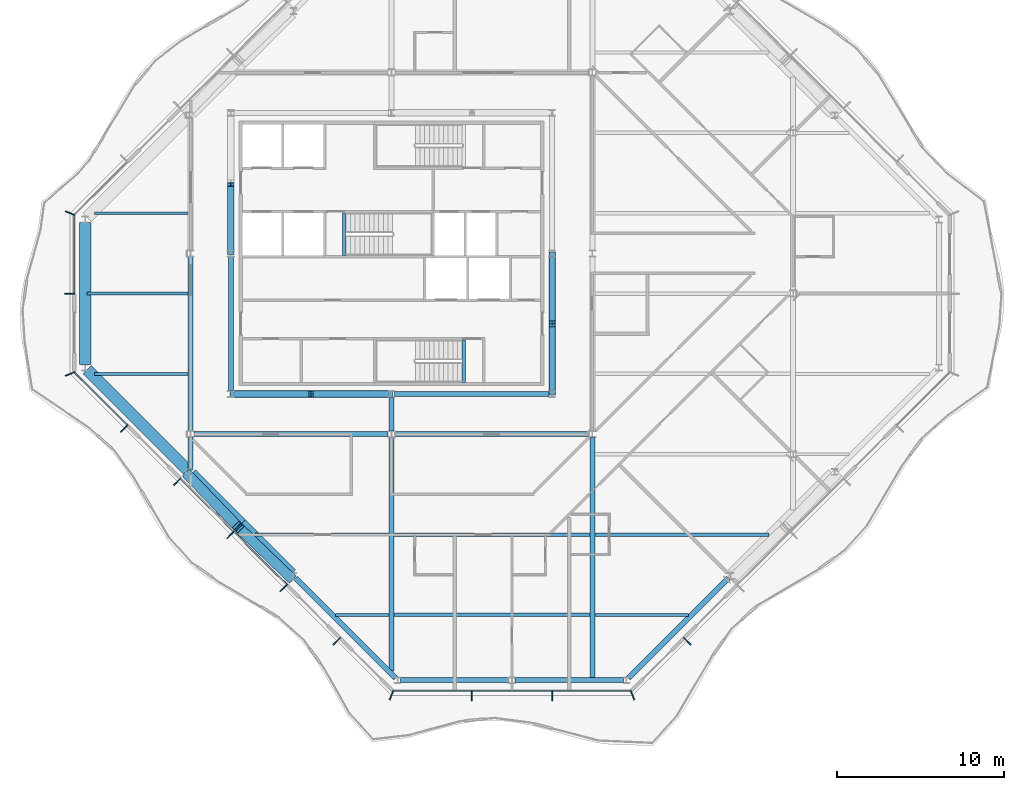
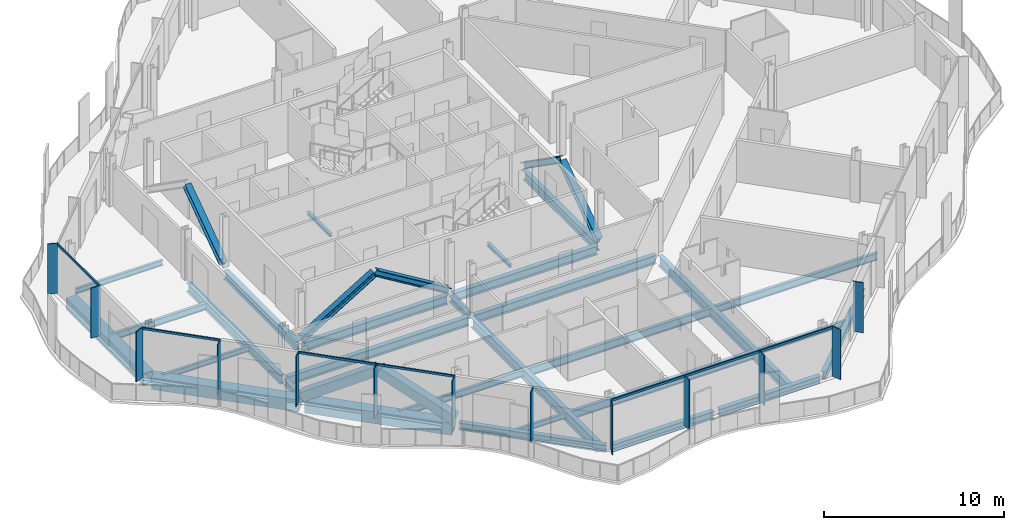
# One storey, part 3 of 17: 30 beams, 27 members, 4 elements without a shape of their own.
"""IFC4 building model written with IfcOpenShell, lengths in metres."""

from ifc_helpers import new_model, si_unit, direction, frame, origin, origin_2d, place, context, subcontext, project, spatial, rectangle, hollow_rectangle, i_section, extrude, material, material_profile, profile_set, type_object, element, aggregate, save


model = new_model("IFC4")

# Units and contexts
model_context = context("Model", 3, precision=1e-05, world=origin(), true_north=direction((0.0, 1.0)))
body_context = subcontext(model_context, "Body", "Model", "MODEL_VIEW")
ifc_project = project(units=[si_unit("LENGTHUNIT", "METRE"), si_unit("AREAUNIT", "SQUARE_METRE"), si_unit("VOLUMEUNIT", "CUBIC_METRE"), si_unit("PLANEANGLEUNIT", "RADIAN"), si_unit("MASSUNIT", "GRAM", prefix="KILO")], contexts=[model_context])

# Site, building, storey
site_placement = place(None, origin())
site = spatial("IfcSite", under=ifc_project, at=site_placement, CompositionType="ELEMENT")
building_placement = place(site_placement, origin())
building = spatial("IfcBuilding", under=site, at=building_placement, Name="Cairn Pilgrim Tower", CompositionType="ELEMENT")
storey_placement = place(building_placement, frame((0.0, 0.0, 292.199951171875)))
storey = spatial("IfcBuildingStorey", under=building, at=storey_placement, Name="L75", CompositionType="ELEMENT", Elevation=292.199951171875)

# Members
ifc_material_1 = material(Name="Structural steel S460M", Category="steel")
ifc_material_profile_1 = material_profile(ifc_material_1, hollow_rectangle(XDim=0.60009765625, YDim=0.60009765625, WallThickness=0.034912109375, at=origin_2d()), Name="BOX 600x600x35")
ifc_profile_set_1 = profile_set([ifc_material_profile_1], Name="Structural steel S460M")
member_type_1 = type_object("IfcMemberType", Name="BOX 600x600x35 BRACE", PredefinedType="BRACE", material=ifc_profile_set_1)
for number, where, z_axis, x_axis, name in (
    (1, (-4.98779296875, -10.80224609375, 0.150146484375), (0.594710674092, -0.617048824616, 0.515334805889), (0.720019591971, 0.693953735617, 0.0), "XB-SW2-SW3-1"),
    (2, (1.19775390625, -16.98779296875, 0.150146484375), (-0.617048824616, 0.594710674092, 0.515334805889), (-0.693953735617, -0.720019591971, 0.0), "XB-SW2-SW3-2"),
):
    element("IfcMember", number, at=place(storey_placement, frame(where, z_axis=z_axis, x_axis=x_axis)), inside=storey, type_object=member_type_1, Name=name, PredefinedType="BRACE", context=body_context, shape_type="SweptSolid", body=[
        extrude(hollow_rectangle(XDim=0.60009765625, YDim=0.60009765625, WallThickness=0.034912109375, at=origin_2d()), origin(), (0.0, 0.0, 1.0), 5.0166015625),
    ])

# Beams
ifc_material_2 = material(Name="Structural steel S355J2", Category="steel")
ifc_material_profile_2 = material_profile(ifc_material_2, hollow_rectangle(XDim=0.699951171875, YDim=0.800048828125, WallThickness=0.0400390625, at=origin_2d()), Name="BOX 700x800x40")
ifc_profile_set_2 = profile_set([ifc_material_profile_2], Name="Structural steel S355J2")
beam_type_1 = type_object("IfcBeamType", Name="BOX 700x800x40 RING GIRDER", PredefinedType="SPANDREL", material=ifc_profile_set_2)
beam_1_placement = place(storey_placement, frame((-11.10009765625, 4.251220703125, -0.550048828125), z_axis=(0.0, -1.0, 0.0), x_axis=(1.0, 0.0, 0.0)))
element("IfcBeam", 3, at=beam_1_placement, inside=storey, type_object=beam_type_1, Name="RG4-W1-SW1", PredefinedType="SPANDREL", context=body_context, shape_type="SweptSolid", body=[
    extrude(hollow_rectangle(XDim=0.699951171875, YDim=0.800048828125, WallThickness=0.0400390625, at=origin_2d()), origin(), (0.0, 0.0, 1.0), 8.50244140625),
])
beam_2_placement = place(storey_placement, frame((-10.9755859375, -4.551513671875, -0.550048828125), z_axis=(0.707092335843, -0.707121226235, 0.0), x_axis=(0.707121226235, 0.707092335843, 0.0)))
element("IfcBeam", 4, at=beam_2_placement, inside=storey, type_object=beam_type_1, Name="RG4-SW1-SW2", PredefinedType="SPANDREL", context=body_context, shape_type="SweptSolid", body=[
    extrude(hollow_rectangle(XDim=0.699951171875, YDim=0.800048828125, WallThickness=0.0400390625, at=origin_2d()), origin(), (0.0, 0.0, 1.0), 8.45068359375),
])
for number, where, z_axis, x_axis, name in (
    (5, (-4.751220703125, -10.77587890625, -0.550048828125), (0.707077889614, -0.707135671578, 0.0), (0.707135671578, 0.707077889614, 0.0), "RG4-SW2-SW3-1"),
    (6, (-1.763671875, -13.763671875, -0.550048828125), (0.707135671578, -0.707077889614, 0.0), (0.707077889614, 0.707135671578, 0.0), "RG4-SW2-SW3-2"),
):
    element("IfcBeam", number, at=place(storey_placement, frame(where, z_axis=z_axis, x_axis=x_axis)), inside=storey, type_object=beam_type_1, Name=name, PredefinedType="SPANDREL", context=body_context, shape_type="SweptSolid", body=[
        extrude(hollow_rectangle(XDim=0.699951171875, YDim=0.800048828125, WallThickness=0.0400390625, at=origin_2d()), origin(), (0.0, 0.0, 1.0), 4.22509765625),
    ])

# Curtain wall, members
ifc_material_3 = material(Name="Aluminium alloy 6063-T6 bronze anodised with Bronze tinted laminated low-E glass 8+16+8.8", Category="aluminium")
curtain_wall_type = type_object("IfcCurtainWallType", Name="CROWN CURTAIN WALL", PredefinedType="NOTDEFINED", material=ifc_material_3)
curtain_wall_1_placement = place(storey_placement, origin())
curtain_wall_1 = element("IfcCurtainWall", 7, at=curtain_wall_1_placement, inside=storey, type_object=curtain_wall_type, Name="Crown Curtain Wall S", PredefinedType="NOTDEFINED")
ifc_material_4 = material(Name="Aluminium alloy 6063-T6 bronze anodised", Category="aluminium")
ifc_material_profile_3 = material_profile(ifc_material_4, rectangle(XDim=0.60009765625, YDim=0.06005859375, at=origin_2d()), Name="FIN MULLION 60x600 BRONZE")
ifc_profile_set_3 = profile_set([ifc_material_profile_3], Name="Aluminium alloy 6063-T6 bronze anodised")
member_type_2 = type_object("IfcMemberType", Name="FIN MULLION 60x600 BRONZE", PredefinedType="MULLION", material=ifc_profile_set_3)
member_1_placement = place(storey_placement, frame((7.2001953125, -23.99951171875, 0.0), z_axis=(0.0, 0.0, 1.0), x_axis=(-0.382683432365, -0.923879532511, 0.0)))
member_1 = element("IfcMember", 8, at=member_1_placement, type_object=member_type_2, Name="Fin mullion S1", PredefinedType="MULLION", context=body_context, shape_type="SweptSolid", body=[
    extrude(rectangle(XDim=0.60009765625, YDim=0.06005859375, at=origin_2d()), origin(), (0.0, 0.0, 1.0), 3.400146484375),
])
member_2_placement = place(storey_placement, frame((12.0, -24.02001953125, 0.0), z_axis=(0.0, 0.0, 1.0), x_axis=(0.0, -1.0, 0.0)))
member_2 = element("IfcMember", 9, at=member_2_placement, type_object=member_type_2, Name="Fin mullion S2", PredefinedType="MULLION", context=body_context, shape_type="SweptSolid", body=[
    extrude(rectangle(XDim=0.60009765625, YDim=0.06005859375, at=origin_2d()), origin(), (0.0, 0.0, 1.0), 3.400146484375),
])
member_3_placement = place(storey_placement, frame((16.800048828125, -24.02001953125, 0.0), z_axis=(0.0, 0.0, 1.0), x_axis=(0.0, -1.0, 0.0)))
member_3 = element("IfcMember", 10, at=member_3_placement, type_object=member_type_2, Name="Fin mullion S3", PredefinedType="MULLION", context=body_context, shape_type="SweptSolid", body=[
    extrude(rectangle(XDim=0.60009765625, YDim=0.06005859375, at=origin_2d()), origin(), (0.0, 0.0, 1.0), 3.400146484375),
])

curtain_wall_2_placement = place(storey_placement, origin())
curtain_wall_2 = element("IfcCurtainWall", 11, at=curtain_wall_2_placement, inside=storey, type_object=curtain_wall_type, Name="Crown Curtain Wall SE", PredefinedType="NOTDEFINED")
member_4_placement = place(storey_placement, frame((21.599853515625, -23.99951171875, 0.0), z_axis=(0.0, 0.0, 1.0), x_axis=(0.382683432365, -0.923879532511, 0.0)))
member_4 = element("IfcMember", 12, at=member_4_placement, type_object=member_type_2, Name="Fin mullion SE1", PredefinedType="MULLION", context=body_context, shape_type="SweptSolid", body=[
    extrude(rectangle(XDim=0.60009765625, YDim=0.06005859375, at=origin_2d()), origin(), (0.0, 0.0, 1.0), 3.400146484375),
])
member_5_placement = place(storey_placement, frame((24.863037109375, -20.765380859375, 0.0), z_axis=(0.0, 0.0, 1.0), x_axis=(0.707106781187, -0.707106781187, 0.0)))
member_5 = element("IfcMember", 13, at=member_5_placement, type_object=member_type_2, Name="Fin mullion SE2", PredefinedType="MULLION", context=body_context, shape_type="SweptSolid", body=[
    extrude(rectangle(XDim=0.60009765625, YDim=0.06005859375, at=origin_2d()), origin(), (0.0, 0.0, 1.0), 3.400146484375),
])
aggregate(curtain_wall_2, [member_4, member_5])

curtain_wall_3_placement = place(storey_placement, origin())
curtain_wall_3 = element("IfcCurtainWall", 14, at=curtain_wall_3_placement, inside=storey, type_object=curtain_wall_type, Name="Crown Curtain Wall W", PredefinedType="NOTDEFINED")
member_6_placement = place(storey_placement, frame((-11.99951171875, 4.7998046875, 0.0), z_axis=(0.0, 0.0, 1.0), x_axis=(-0.923879532511, 0.382683432365, 0.0)))
member_6 = element("IfcMember", 15, at=member_6_placement, type_object=member_type_2, Name="Fin mullion W1", PredefinedType="MULLION", context=body_context, shape_type="SweptSolid", body=[
    extrude(rectangle(XDim=0.60009765625, YDim=0.06005859375, at=origin_2d()), origin(), (0.0, 0.0, 1.0), 3.400146484375),
])
member_7_placement = place(storey_placement, frame((-12.02001953125, 0.0, 0.0), z_axis=(0.0, 0.0, 1.0), x_axis=(-1.0, 0.0, 0.0)))
member_7 = element("IfcMember", 16, at=member_7_placement, type_object=member_type_2, Name="Fin mullion W2", PredefinedType="MULLION", context=body_context, shape_type="SweptSolid", body=[
    extrude(rectangle(XDim=0.60009765625, YDim=0.06005859375, at=origin_2d()), origin(), (0.0, 0.0, 1.0), 3.400146484375),
])

curtain_wall_4_placement = place(storey_placement, origin())
curtain_wall_4 = element("IfcCurtainWall", 17, at=curtain_wall_4_placement, inside=storey, type_object=curtain_wall_type, Name="Crown Curtain Wall SW", PredefinedType="NOTDEFINED")
member_8_placement = place(storey_placement, frame((-11.99951171875, -4.7998046875, 0.0), z_axis=(0.0, 0.0, 1.0), x_axis=(-0.923879532511, -0.382683432365, 0.0)))
member_8 = element("IfcMember", 18, at=member_8_placement, type_object=member_type_2, Name="Fin mullion SW1", PredefinedType="MULLION", context=body_context, shape_type="SweptSolid", body=[
    extrude(rectangle(XDim=0.60009765625, YDim=0.06005859375, at=origin_2d()), origin(), (0.0, 0.0, 1.0), 3.400146484375),
])
member_9_placement = place(storey_placement, frame((-8.765380859375, -8.06298828125, 0.0), z_axis=(0.0, 0.0, 1.0), x_axis=(-0.707106781187, -0.707106781187, 0.0)))
member_9 = element("IfcMember", 19, at=member_9_placement, type_object=member_type_2, Name="Fin mullion SW2", PredefinedType="MULLION", context=body_context, shape_type="SweptSolid", body=[
    extrude(rectangle(XDim=0.60009765625, YDim=0.06005859375, at=origin_2d()), origin(), (0.0, 0.0, 1.0), 3.400146484375),
])
member_10_placement = place(storey_placement, frame((-5.58984375, -11.238525390625, 0.0), z_axis=(0.0, 0.0, 1.0), x_axis=(-0.707106781187, -0.707106781187, 0.0)))
member_10 = element("IfcMember", 20, at=member_10_placement, type_object=member_type_2, Name="Fin mullion SW3", PredefinedType="MULLION", context=body_context, shape_type="SweptSolid", body=[
    extrude(rectangle(XDim=0.60009765625, YDim=0.06005859375, at=origin_2d()), origin(), (0.0, 0.0, 1.0), 3.400146484375),
])
member_11_placement = place(storey_placement, frame((-2.4140625, -14.4140625, 0.0), z_axis=(0.0, 0.0, 1.0), x_axis=(-0.707106781187, -0.707106781187, 0.0)))
member_11 = element("IfcMember", 21, at=member_11_placement, type_object=member_type_2, Name="Fin mullion SW4", PredefinedType="MULLION", context=body_context, shape_type="SweptSolid", body=[
    extrude(rectangle(XDim=0.60009765625, YDim=0.06005859375, at=origin_2d()), origin(), (0.0, 0.0, 1.0), 3.400146484375),
])
member_12_placement = place(storey_placement, frame((0.761474609375, -17.58984375, 0.0), z_axis=(0.0, 0.0, 1.0), x_axis=(-0.707106781187, -0.707106781187, 0.0)))
member_12 = element("IfcMember", 22, at=member_12_placement, type_object=member_type_2, Name="Fin mullion SW5", PredefinedType="MULLION", context=body_context, shape_type="SweptSolid", body=[
    extrude(rectangle(XDim=0.60009765625, YDim=0.06005859375, at=origin_2d()), origin(), (0.0, 0.0, 1.0), 3.400146484375),
])
member_13_placement = place(storey_placement, frame((3.93701171875, -20.765380859375, 0.0), z_axis=(0.0, 0.0, 1.0), x_axis=(-0.707106781187, -0.707106781187, 0.0)))
member_13 = element("IfcMember", 23, at=member_13_placement, type_object=member_type_2, Name="Fin mullion SW6", PredefinedType="MULLION", context=body_context, shape_type="SweptSolid", body=[
    extrude(rectangle(XDim=0.60009765625, YDim=0.06005859375, at=origin_2d()), origin(), (0.0, 0.0, 1.0), 3.400146484375),
])

# Members
ifc_material_profile_4 = material_profile(ifc_material_2, i_section(OverallWidth=0.39794921875, OverallDepth=0.386962890625, WebThickness=0.02099609375, FlangeThickness=0.033203125, FilletRadius=0.014892578125, at=origin_2d()), Name="HD 400x262")
ifc_profile_set_4 = profile_set([ifc_material_profile_4], Name="Structural steel S355J2")
member_type_3 = type_object("IfcMemberType", Name="HD 400x262 BRACE", PredefinedType="BRACE", material=ifc_profile_set_4)
for number, where, z_axis, x_axis, name in (
    (24, (-2.360107421875, -6.0, 0.10009765625), (0.855470602141, 0.0, 0.517851377205), (0.0, 1.0, 0.0), "KB-1A"),
    (25, (7.16015625, -6.0, 0.10009765625), (-0.855470602141, 0.0, 0.517851377205), (0.0, -1.0, 0.0), "KB-1B"),
):
    element("IfcMember", number, at=place(storey_placement, frame(where, z_axis=z_axis, x_axis=x_axis)), inside=storey, type_object=member_type_3, Name=name, PredefinedType="BRACE", context=body_context, shape_type="SweptSolid", body=[
        extrude(i_section(OverallWidth=0.39794921875, OverallDepth=0.386962890625, WebThickness=0.02099609375, FlangeThickness=0.033203125, FilletRadius=0.014892578125, at=origin_2d()), origin(), (0.0, 0.0, 1.0), 5.503662109375),
    ])
for number, where, z_axis, x_axis, name in (
    (26, (16.800048828125, -5.960205078125, 0.10009765625), (0.0, 0.819452926025, 0.573146492643), (-1.0, 0.0, 0.0), "KB-2A"),
    (27, (16.800048828125, 2.360107421875, 0.10009765625), (0.0, -0.819436823383, 0.573169514615), (1.0, 0.0, 0.0), "KB-2B"),
    (28, (-2.39990234375, 2.439697265625, 0.10009765625), (0.0, 0.819452926025, 0.573146492643), (-1.0, 0.0, 0.0), "KB-4B"),
):
    element("IfcMember", number, at=place(storey_placement, frame(where, z_axis=z_axis, x_axis=x_axis)), inside=storey, type_object=member_type_3, Name=name, PredefinedType="BRACE", context=body_context, shape_type="SweptSolid", body=[
        extrude(i_section(OverallWidth=0.39794921875, OverallDepth=0.386962890625, WebThickness=0.02099609375, FlangeThickness=0.033203125, FilletRadius=0.014892578125, at=origin_2d()), origin(), (0.0, 0.0, 1.0), 4.980712890625),
    ])

# Beams
ifc_material_profile_5 = material_profile(ifc_material_2, i_section(OverallWidth=0.300048828125, OverallDepth=0.39990234375, WebThickness=0.013427734375, FlangeThickness=0.02392578125, FilletRadius=0.027099609375, at=origin_2d()), Name="HEB 400")
ifc_profile_set_5 = profile_set([ifc_material_profile_5], Name="Structural steel S355J2")
beam_type_2 = type_object("IfcBeamType", Name="HEB 400 GIRDER", PredefinedType="BEAM", material=ifc_profile_set_5)
beam_3_placement = place(storey_placement, frame((-4.800048828125, -10.545166015625, -0.349853515625), z_axis=(0.0, 1.0, 0.0), x_axis=(-1.0, 0.0, 0.0)))
element("IfcBeam", 29, at=beam_3_placement, inside=storey, type_object=beam_type_2, Name="PG2-E1", PredefinedType="BEAM", context=body_context, shape_type="SweptSolid", body=[
    extrude(i_section(OverallWidth=0.300048828125, OverallDepth=0.39990234375, WebThickness=0.013427734375, FlangeThickness=0.02392578125, FilletRadius=0.027099609375, at=origin_2d()), origin(), (0.0, 0.0, 1.0), 1.9482421875),
])
beam_4_placement = place(storey_placement, frame((7.199951171875, -8.202880859375, -0.349853515625), z_axis=(0.0, 1.0, 0.0), x_axis=(-1.0, 0.0, 0.0)))
element("IfcBeam", 30, at=beam_4_placement, inside=storey, type_object=beam_type_2, Name="PG3-E1", PredefinedType="BEAM", context=body_context, shape_type="SweptSolid", body=[
    extrude(i_section(OverallWidth=0.300048828125, OverallDepth=0.39990234375, WebThickness=0.013427734375, FlangeThickness=0.02392578125, FilletRadius=0.027099609375, at=origin_2d()), origin(), (0.0, 0.0, 1.0), 2.00390625),
])
ifc_material_profile_6 = material_profile(ifc_material_2, i_section(OverallWidth=0.300048828125, OverallDepth=0.5, WebThickness=0.014404296875, FlangeThickness=0.028076171875, FilletRadius=0.027099609375, at=origin_2d()), Name="HEB 500")
ifc_profile_set_6 = profile_set([ifc_material_profile_6], Name="Structural steel S355J2")
beam_type_3 = type_object("IfcBeamType", Name="HEB 500 RING GIRDER", PredefinedType="SPANDREL", material=ifc_profile_set_6)
for number, where, z_axis, x_axis, name in (
    (31, (7.748779296875, -23.10009765625, -0.39990234375), (1.0, 0.0, 0.0), (0.0, 1.0, 0.0), "RG4-S1-S2"),
    (32, (14.575927734375, -23.10009765625, -0.39990234375), (1.0, 0.0, 0.0), (0.0, 1.0, 0.0), "RG4-S2-SE1"),
):
    element("IfcBeam", number, at=place(storey_placement, frame(where, z_axis=z_axis, x_axis=x_axis)), inside=storey, type_object=beam_type_3, Name=name, PredefinedType="SPANDREL", context=body_context, shape_type="SweptSolid", body=[
        extrude(i_section(OverallWidth=0.300048828125, OverallDepth=0.5, WebThickness=0.014404296875, FlangeThickness=0.028076171875, FilletRadius=0.027099609375, at=origin_2d()), origin(), (0.0, 0.0, 1.0), 6.475341796875),
    ])
for number, where, z_axis, x_axis, name in (
    (33, (21.3515625, -22.9755859375, -0.39990234375), (0.707121226235, 0.707092335843, 0.0), (-0.707092335843, 0.707121226235, 0.0), "RG4-SE1-SE2"),
    (34, (1.472900390625, -17.000244140625, -0.39990234375), (0.707121226235, -0.707092335843, 0.0), (0.707092335843, 0.707121226235, 0.0), "RG4-SW3-S1"),
):
    element("IfcBeam", number, at=place(storey_placement, frame(where, z_axis=z_axis, x_axis=x_axis)), inside=storey, type_object=beam_type_3, Name=name, PredefinedType="SPANDREL", context=body_context, shape_type="SweptSolid", body=[
        extrude(i_section(OverallWidth=0.300048828125, OverallDepth=0.5, WebThickness=0.014404296875, FlangeThickness=0.028076171875, FilletRadius=0.027099609375, at=origin_2d()), origin(), (0.0, 0.0, 1.0), 8.45068359375),
    ])
ifc_material_profile_7 = material_profile(ifc_material_2, i_section(OverallWidth=0.300048828125, OverallDepth=0.60009765625, WebThickness=0.015380859375, FlangeThickness=0.030029296875, FilletRadius=0.027099609375, at=origin_2d()), Name="HEB 600")
ifc_profile_set_7 = profile_set([ifc_material_profile_7], Name="Structural steel S355J2")
beam_type_4 = type_object("IfcBeamType", Name="HEB 600 CORE BEAM", PredefinedType="BEAM", material=ifc_profile_set_7)
beam_5_placement = place(storey_placement, frame((-2.220947265625, -6.0, -0.449951171875), z_axis=(1.0, 0.0, 0.0), x_axis=(0.0, 1.0, 0.0)))
element("IfcBeam", 35, at=beam_5_placement, inside=storey, type_object=beam_type_4, Name="CB-1", PredefinedType="BEAM", context=body_context, shape_type="SweptSolid", body=[
    extrude(i_section(OverallWidth=0.300048828125, OverallDepth=0.60009765625, WebThickness=0.015380859375, FlangeThickness=0.030029296875, FilletRadius=0.027099609375, at=origin_2d()), origin(), (0.0, 0.0, 1.0), 9.241943359375),
])
beam_6_placement = place(storey_placement, frame((7.379150390625, -6.0, -0.449951171875), z_axis=(1.0, 0.0, 0.0), x_axis=(0.0, 1.0, 0.0)))
element("IfcBeam", 36, at=beam_6_placement, inside=storey, type_object=beam_type_4, Name="CB-2", PredefinedType="BEAM", context=body_context, shape_type="SweptSolid", body=[
    extrude(i_section(OverallWidth=0.300048828125, OverallDepth=0.60009765625, WebThickness=0.015380859375, FlangeThickness=0.030029296875, FilletRadius=0.027099609375, at=origin_2d()), origin(), (0.0, 0.0, 1.0), 9.24169921875),
])
for number, where, z_axis, x_axis, name in (
    (37, (16.800048828125, -5.82080078125, -0.449951171875), (0.0, 1.0, 0.0), (-1.0, 0.0, 0.0), "CB-3"),
    (38, (-2.39990234375, 2.220947265625, -0.449951171875), (0.0, -1.0, 0.0), (1.0, 0.0, 0.0), "CB-8"),
):
    element("IfcBeam", number, at=place(storey_placement, frame(where, z_axis=z_axis, x_axis=x_axis)), inside=storey, type_object=beam_type_4, Name=name, PredefinedType="BEAM", context=body_context, shape_type="SweptSolid", body=[
        extrude(i_section(OverallWidth=0.300048828125, OverallDepth=0.60009765625, WebThickness=0.015380859375, FlangeThickness=0.030029296875, FilletRadius=0.027099609375, at=origin_2d()), origin(), (0.0, 0.0, 1.0), 8.041748046875),
    ])
ifc_material_profile_8 = material_profile(ifc_material_2, i_section(OverallWidth=0.300048828125, OverallDepth=0.60009765625, WebThickness=0.015380859375, FlangeThickness=0.030029296875, FilletRadius=0.027099609375, at=origin_2d()), Name="HEB 600")
ifc_profile_set_8 = profile_set([ifc_material_profile_8], Name="Structural steel S355J2")
beam_type_5 = type_object("IfcBeamType", Name="HEB 600 GIRDER", PredefinedType="BEAM", material=ifc_profile_set_8)
beam_7_placement = place(storey_placement, frame((-4.800048828125, -8.202880859375, -0.449951171875), z_axis=(0.0, 1.0, 0.0), x_axis=(-1.0, 0.0, 0.0)))
element("IfcBeam", 39, at=beam_7_placement, inside=storey, type_object=beam_type_5, Name="PG2-1", PredefinedType="BEAM", context=body_context, shape_type="SweptSolid", body=[
    extrude(i_section(OverallWidth=0.300048828125, OverallDepth=0.60009765625, WebThickness=0.015380859375, FlangeThickness=0.030029296875, FilletRadius=0.027099609375, at=origin_2d()), origin(), (0.0, 0.0, 1.0), 10.40576171875),
])
ifc_material_profile_9 = material_profile(ifc_material_2, i_section(OverallWidth=0.300048828125, OverallDepth=0.60009765625, WebThickness=0.015380859375, FlangeThickness=0.030029296875, FilletRadius=0.027099609375, at=origin_2d()), Name="HEB 600")
ifc_profile_set_9 = profile_set([ifc_material_profile_9], Name="Structural steel S355J2")
beam_type_6 = type_object("IfcBeamType", Name="HEB 600 INNER GIRDER", PredefinedType="BEAM", material=ifc_profile_set_9)
for number, where, z_axis, x_axis, name in (
    (40, (-4.60302734375, -8.39990234375, -0.449951171875), (1.0, 0.0, 0.0), (0.0, 1.0, 0.0), "IG1-1"),
    (41, (7.39697265625, -8.39990234375, -0.449951171875), (1.0, 0.0, 0.0), (0.0, 1.0, 0.0), "IG1-2"),
):
    element("IfcBeam", number, at=place(storey_placement, frame(where, z_axis=z_axis, x_axis=x_axis)), inside=storey, type_object=beam_type_6, Name=name, PredefinedType="BEAM", context=body_context, shape_type="SweptSolid", body=[
        extrude(i_section(OverallWidth=0.300048828125, OverallDepth=0.60009765625, WebThickness=0.015380859375, FlangeThickness=0.030029296875, FilletRadius=0.027099609375, at=origin_2d()), origin(), (0.0, 0.0, 1.0), 11.60595703125),
    ])
ifc_material_profile_10 = material_profile(ifc_material_2, i_section(OverallWidth=0.300048828125, OverallDepth=0.699951171875, WebThickness=0.01708984375, FlangeThickness=0.031982421875, FilletRadius=0.027099609375, at=origin_2d()), Name="HEB 700")
ifc_profile_set_10 = profile_set([ifc_material_profile_10], Name="Structural steel S355J2")
beam_type_7 = type_object("IfcBeamType", Name="HEB 700 GIRDER", PredefinedType="BEAM", material=ifc_profile_set_10)
beam_8_placement = place(storey_placement, frame((7.199951171875, -22.545166015625, -0.5), z_axis=(0.0, 1.0, 0.0), x_axis=(-1.0, 0.0, 0.0)))
element("IfcBeam", 42, at=beam_8_placement, inside=storey, type_object=beam_type_7, Name="PG3-1", PredefinedType="BEAM", context=body_context, shape_type="SweptSolid", body=[
    extrude(i_section(OverallWidth=0.300048828125, OverallDepth=0.699951171875, WebThickness=0.01708984375, FlangeThickness=0.031982421875, FilletRadius=0.027099609375, at=origin_2d()), origin(), (0.0, 0.0, 1.0), 13.9482421875),
])
beam_9_placement = place(storey_placement, frame((19.199951171875, -22.97998046875, -0.5), z_axis=(0.0, 1.0, 0.0), x_axis=(-1.0, 0.0, 0.0)))
element("IfcBeam", 43, at=beam_9_placement, inside=storey, type_object=beam_type_7, Name="PG4-1", PredefinedType="BEAM", context=body_context, shape_type="SweptSolid", body=[
    extrude(i_section(OverallWidth=0.300048828125, OverallDepth=0.699951171875, WebThickness=0.01708984375, FlangeThickness=0.031982421875, FilletRadius=0.027099609375, at=origin_2d()), origin(), (0.0, 0.0, 1.0), 14.383056640625),
])
ifc_material_profile_11 = material_profile(ifc_material_2, i_section(OverallWidth=0.169921875, OverallDepth=0.360107421875, WebThickness=0.008056640625, FlangeThickness=0.0126953125, FilletRadius=0.01806640625, at=origin_2d()), Name="IPE 360")
ifc_profile_set_11 = profile_set([ifc_material_profile_11], Name="Structural steel S355J2")
beam_type_8 = type_object("IfcBeamType", Name="IPE 360 SECONDARY BEAM", PredefinedType="JOIST", material=ifc_profile_set_11)
beam_10_placement = place(storey_placement, frame((3.85498046875, -19.199951171875, -0.329833984375), z_axis=(1.0, 0.0, 0.0), x_axis=(0.0, 1.0, 0.0)))
element("IfcBeam", 44, at=beam_10_placement, inside=storey, type_object=beam_type_8, Name="SB1-1", PredefinedType="JOIST", context=body_context, shape_type="SweptSolid", body=[
    extrude(i_section(OverallWidth=0.169921875, OverallDepth=0.360107421875, WebThickness=0.008056640625, FlangeThickness=0.0126953125, FilletRadius=0.01806640625, at=origin_2d()), origin(), (0.0, 0.0, 1.0), 3.195068359375),
])
beam_11_placement = place(storey_placement, frame((19.35009765625, -19.199951171875, -0.329833984375), z_axis=(1.0, 0.0, 0.0), x_axis=(0.0, 1.0, 0.0)))
element("IfcBeam", 45, at=beam_11_placement, inside=storey, type_object=beam_type_8, Name="SB1-3", PredefinedType="JOIST", context=body_context, shape_type="SweptSolid", body=[
    extrude(i_section(OverallWidth=0.169921875, OverallDepth=0.360107421875, WebThickness=0.008056640625, FlangeThickness=0.0126953125, FilletRadius=0.01806640625, at=origin_2d()), origin(), (0.0, 0.0, 1.0), 5.594970703125),
])
for number, where, z_axis, x_axis, name in (
    (46, (-10.545166015625, -4.800048828125, -0.329833984375), (1.0, 0.0, 0.0), (0.0, 1.0, 0.0), "SB4-1"),
    (47, (-10.545166015625, 4.800048828125, -0.329833984375), (1.0, 0.0, 0.0), (0.0, 1.0, 0.0), "SB6-1"),
):
    element("IfcBeam", number, at=place(storey_placement, frame(where, z_axis=z_axis, x_axis=x_axis)), inside=storey, type_object=beam_type_8, Name=name, PredefinedType="JOIST", context=body_context, shape_type="SweptSolid", body=[
        extrude(i_section(OverallWidth=0.169921875, OverallDepth=0.360107421875, WebThickness=0.008056640625, FlangeThickness=0.0126953125, FilletRadius=0.01806640625, at=origin_2d()), origin(), (0.0, 0.0, 1.0), 5.59521484375),
    ])
ifc_material_profile_12 = material_profile(ifc_material_2, i_section(OverallWidth=0.18994140625, OverallDepth=0.449951171875, WebThickness=0.009521484375, FlangeThickness=0.0146484375, FilletRadius=0.02099609375, at=origin_2d()), Name="IPE 450")
ifc_profile_set_12 = profile_set([ifc_material_profile_12], Name="Structural steel S355J2")
beam_type_9 = type_object("IfcBeamType", Name="IPE 450 SECONDARY BEAM", PredefinedType="JOIST", material=ifc_profile_set_12)
beam_12_placement = place(storey_placement, frame((-0.945068359375, -14.39990234375, -0.375), z_axis=(1.0, 0.0, 0.0), x_axis=(0.0, 1.0, 0.0)))
element("IfcBeam", 48, at=beam_12_placement, inside=storey, type_object=beam_type_9, Name="SB2-1", PredefinedType="JOIST", context=body_context, shape_type="SweptSolid", body=[
    extrude(i_section(OverallWidth=0.18994140625, OverallDepth=0.449951171875, WebThickness=0.009521484375, FlangeThickness=0.0146484375, FilletRadius=0.02099609375, at=origin_2d()), origin(), (0.0, 0.0, 1.0), 7.9951171875),
])
beam_13_placement = place(storey_placement, frame((-10.97998046875, 0.0, -0.375), z_axis=(1.0, 0.0, 0.0), x_axis=(0.0, 1.0, 0.0)))
element("IfcBeam", 49, at=beam_13_placement, inside=storey, type_object=beam_type_9, Name="SB5-1", PredefinedType="JOIST", context=body_context, shape_type="SweptSolid", body=[
    extrude(i_section(OverallWidth=0.18994140625, OverallDepth=0.449951171875, WebThickness=0.009521484375, FlangeThickness=0.0146484375, FilletRadius=0.02099609375, at=origin_2d()), origin(), (0.0, 0.0, 1.0), 6.030029296875),
])
ifc_material_profile_13 = material_profile(ifc_material_2, i_section(OverallWidth=0.199951171875, OverallDepth=0.5, WebThickness=0.01025390625, FlangeThickness=0.01611328125, FilletRadius=0.02099609375, at=origin_2d()), Name="IPE 500")
ifc_profile_set_13 = profile_set([ifc_material_profile_13], Name="Structural steel S355J2")
beam_type_10 = type_object("IfcBeamType", Name="IPE 500 SECONDARY BEAM", PredefinedType="JOIST", material=ifc_profile_set_13)
beam_14_placement = place(storey_placement, frame((19.35009765625, -14.39990234375, -0.39990234375), z_axis=(1.0, 0.0, 0.0), x_axis=(0.0, 1.0, 0.0)))
element("IfcBeam", 50, at=beam_14_placement, inside=storey, type_object=beam_type_10, Name="SB2-3", PredefinedType="JOIST", context=body_context, shape_type="SweptSolid", body=[
    extrude(i_section(OverallWidth=0.199951171875, OverallDepth=0.5, WebThickness=0.01025390625, FlangeThickness=0.01611328125, FilletRadius=0.02099609375, at=origin_2d()), origin(), (0.0, 0.0, 1.0), 10.39501953125),
])
ifc_material_profile_14 = material_profile(ifc_material_2, i_section(OverallWidth=0.2099609375, OverallDepth=0.550048828125, WebThickness=0.010986328125, FlangeThickness=0.01708984375, FilletRadius=0.02392578125, at=origin_2d()), Name="IPE 550")
ifc_profile_set_14 = profile_set([ifc_material_profile_14], Name="Structural steel S355J2")
beam_type_11 = type_object("IfcBeamType", Name="IPE 550 SECONDARY BEAM", PredefinedType="JOIST", material=ifc_profile_set_14)
for number, where, z_axis, x_axis, name in (
    (51, (7.35009765625, -19.199951171875, -0.425048828125), (1.0, 0.0, 0.0), (0.0, 1.0, 0.0), "SB1-2"),
    (52, (7.35009765625, -14.39990234375, -0.425048828125), (1.0, 0.0, 0.0), (0.0, 1.0, 0.0), "SB2-2"),
):
    element("IfcBeam", number, at=place(storey_placement, frame(where, z_axis=z_axis, x_axis=x_axis)), inside=storey, type_object=beam_type_11, Name=name, PredefinedType="JOIST", context=body_context, shape_type="SweptSolid", body=[
        extrude(i_section(OverallWidth=0.2099609375, OverallDepth=0.550048828125, WebThickness=0.010986328125, FlangeThickness=0.01708984375, FilletRadius=0.02392578125, at=origin_2d()), origin(), (0.0, 0.0, 1.0), 11.699951171875),
    ])
ifc_material_profile_15 = material_profile(ifc_material_2, i_section(OverallWidth=0.199951171875, OverallDepth=0.199951171875, WebThickness=0.009033203125, FlangeThickness=0.014892578125, FilletRadius=0.01806640625, at=origin_2d()), Name="HE 200 B")
ifc_profile_set_15 = profile_set([ifc_material_profile_15], Name="Structural steel S355J2")
beam_type_12 = type_object("IfcBeamType", Name="STAIR LANDING BEAM HE 200 B", PredefinedType="BEAM", material=ifc_profile_set_15)
beam_15_placement = place(storey_placement, frame((11.5244140625, -2.77490234375, -0.25), z_axis=(0.0, -1.0, 0.0), x_axis=(1.0, 0.0, 0.0)))
element("IfcBeam", 53, at=beam_15_placement, inside=storey, type_object=beam_type_12, Name="STAIR LANDING BEAM LD-HE200B", PredefinedType="BEAM", context=body_context, shape_type="SweptSolid", body=[
    extrude(i_section(OverallWidth=0.199951171875, OverallDepth=0.199951171875, WebThickness=0.009033203125, FlangeThickness=0.014892578125, FilletRadius=0.01806640625, at=origin_2d()), origin(), (0.0, 0.0, 1.0), 2.525146484375),
])
beam_16_placement = place(storey_placement, frame((4.37548828125, 2.27490234375, -0.25), z_axis=(0.0, 1.0, 0.0), x_axis=(-1.0, 0.0, 0.0)))
element("IfcBeam", 54, at=beam_16_placement, inside=storey, type_object=beam_type_12, Name="STAIR LANDING BEAM LD-HE200B", PredefinedType="BEAM", context=body_context, shape_type="SweptSolid", body=[
    extrude(i_section(OverallWidth=0.199951171875, OverallDepth=0.199951171875, WebThickness=0.009033203125, FlangeThickness=0.014892578125, FilletRadius=0.01806640625, at=origin_2d()), origin(), (0.0, 0.0, 1.0), 2.550048828125),
])

# Member
ifc_material_profile_16 = material_profile(ifc_material_4, rectangle(XDim=0.080078125, YDim=0.14990234375, at=origin_2d()), Name="TRANSOM 80x150 BRONZE")
ifc_profile_set_16 = profile_set([ifc_material_profile_16], Name="Aluminium alloy 6063-T6 bronze anodised")
member_type_4 = type_object("IfcMemberType", Name="TRANSOM 80x150 BRONZE", PredefinedType="USERDEFINED", material=ifc_profile_set_16)
member_14_placement = place(storey_placement, frame((7.343505859375, -23.75, 3.324951171875), z_axis=(1.0, 0.0, 0.0), x_axis=(0.0, 1.0, 0.0)))
member_14 = element("IfcMember", 55, at=member_14_placement, type_object=member_type_4, Name="Transom S1", ObjectType="TRANSOM", PredefinedType="USERDEFINED", context=body_context, shape_type="SweptSolid", body=[
    extrude(rectangle(XDim=0.080078125, YDim=0.14990234375, at=origin_2d()), origin(), (0.0, 0.0, 1.0), 4.62646484375),
])

member_15_placement = place(storey_placement, frame((12.030029296875, -23.75, 3.324951171875), z_axis=(1.0, 0.0, 0.0), x_axis=(0.0, 1.0, 0.0)))
member_15 = element("IfcMember", 56, at=member_15_placement, type_object=member_type_4, Name="Transom S2", ObjectType="TRANSOM", PredefinedType="USERDEFINED", context=body_context, shape_type="SweptSolid", body=[
    extrude(rectangle(XDim=0.080078125, YDim=0.14990234375, at=origin_2d()), origin(), (0.0, 0.0, 1.0), 4.739990234375),
])

member_16_placement = place(storey_placement, frame((16.830078125, -23.75, 3.324951171875), z_axis=(1.0, 0.0, 0.0), x_axis=(0.0, 1.0, 0.0)))
member_16 = element("IfcMember", 57, at=member_16_placement, type_object=member_type_4, Name="Transom S3", ObjectType="TRANSOM", PredefinedType="USERDEFINED", context=body_context, shape_type="SweptSolid", body=[
    extrude(rectangle(XDim=0.080078125, YDim=0.14990234375, at=origin_2d()), origin(), (0.0, 0.0, 1.0), 4.62646484375),
])

aggregate(curtain_wall_1, [member_1, member_2, member_3, member_14, member_15, member_16])

member_17_placement = place(storey_placement, frame((-11.75, 4.656494140625, 3.324951171875), z_axis=(0.0, -1.0, 0.0), x_axis=(1.0, 0.0, 0.0)))
member_17 = element("IfcMember", 58, at=member_17_placement, type_object=member_type_4, Name="Transom W1", ObjectType="TRANSOM", PredefinedType="USERDEFINED", context=body_context, shape_type="SweptSolid", body=[
    extrude(rectangle(XDim=0.080078125, YDim=0.14990234375, at=origin_2d()), origin(), (0.0, 0.0, 1.0), 4.62646484375),
])

aggregate(curtain_wall_3, [member_6, member_7, member_17])

member_18_placement = place(storey_placement, frame((-11.7216796875, -4.724609375, 3.324951171875), z_axis=(0.707079168996, -0.707134392299, 0.0), x_axis=(0.707134392299, 0.707079168996, 0.0)))
member_18 = element("IfcMember", 59, at=member_18_placement, type_object=member_type_4, Name="Transom SW1", ObjectType="TRANSOM", PredefinedType="USERDEFINED", context=body_context, shape_type="SweptSolid", body=[
    extrude(rectangle(XDim=0.080078125, YDim=0.14990234375, at=origin_2d()), origin(), (0.0, 0.0, 1.0), 4.4208984375),
])

member_19_placement = place(storey_placement, frame((-5.377685546875, -11.06884765625, 3.324951171875), z_axis=(0.707134329907, -0.707079231393, 0.0), x_axis=(0.707079231393, 0.707134329907, 0.0)))
member_19 = element("IfcMember", 60, at=member_19_placement, type_object=member_type_4, Name="Transom SW3", ObjectType="TRANSOM", PredefinedType="USERDEFINED", context=body_context, shape_type="SweptSolid", body=[
    extrude(rectangle(XDim=0.080078125, YDim=0.14990234375, at=origin_2d()), origin(), (0.0, 0.0, 1.0), 4.430908203125),
])

member_20_placement = place(storey_placement, frame((-2.201904296875, -14.244384765625, 3.324951171875), z_axis=(0.707079231393, -0.707134329907, 0.0), x_axis=(0.707134329907, 0.707079231393, 0.0)))
member_20 = element("IfcMember", 61, at=member_20_placement, type_object=member_type_4, Name="Transom SW4", ObjectType="TRANSOM", PredefinedType="USERDEFINED", context=body_context, shape_type="SweptSolid", body=[
    extrude(rectangle(XDim=0.080078125, YDim=0.14990234375, at=origin_2d()), origin(), (0.0, 0.0, 1.0), 4.430908203125),
])

aggregate(curtain_wall_4, [member_8, member_9, member_10, member_11, member_12, member_13, member_18, member_19, member_20])

save(model, "model.ifc")
